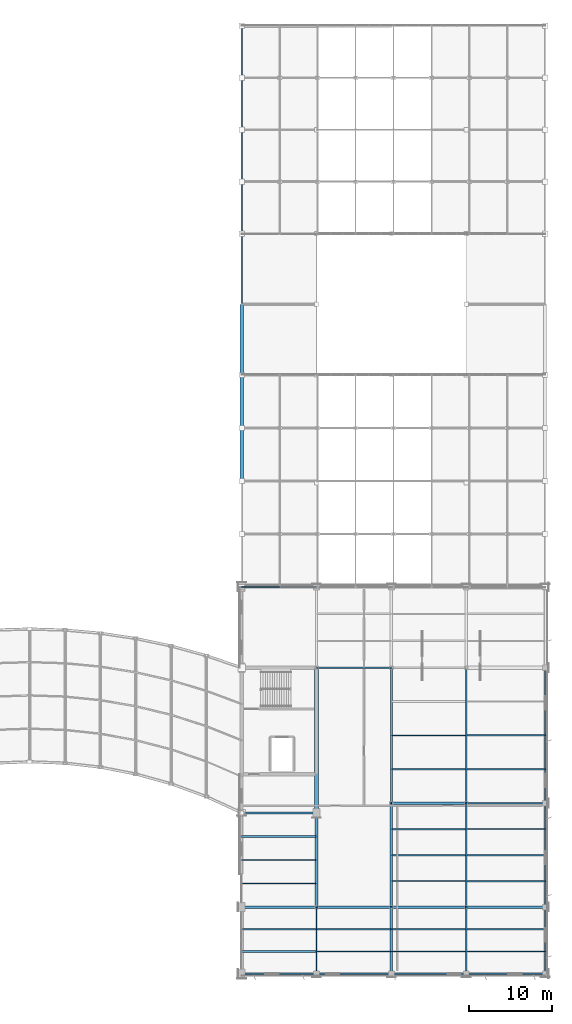
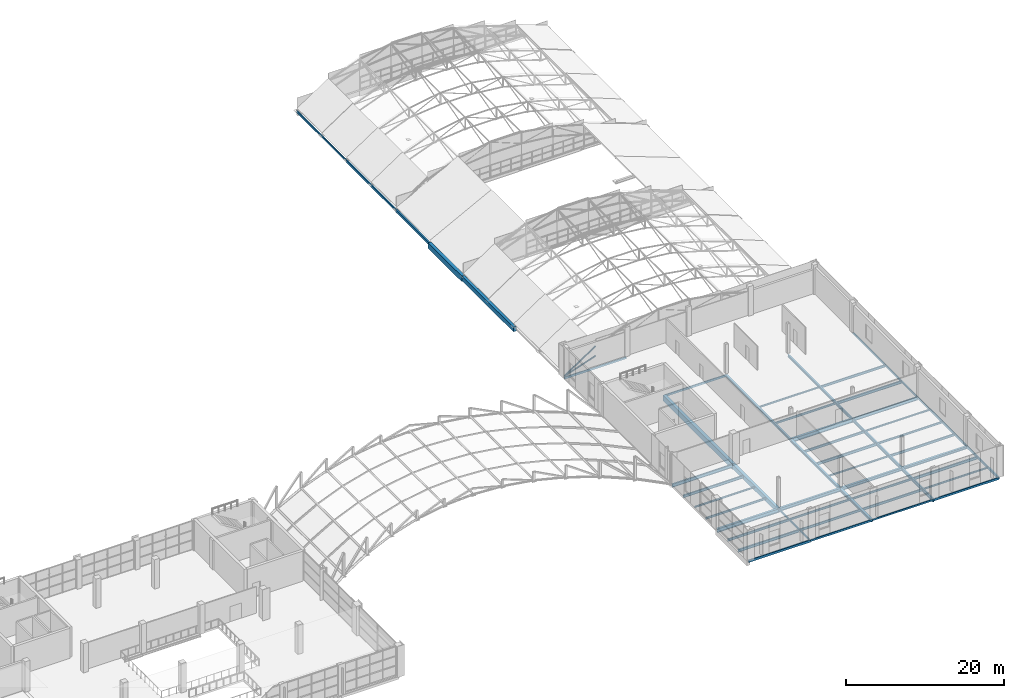
# One storey, part 48 of 101: 51 beams, 2 members.
"""IFC4 building model written with IfcOpenShell, lengths in metres."""

import ifcopenshell
import ifcopenshell.guid

model = None  # the IFC model being written
_history = None  # IfcOwnerHistory: only IFC2X3 demands one
_inside = {}  # id of a spatial element -> (the spatial element, [elements in it])
_under = {}  # id of a project, library or spatial element -> (it, [spatial elements below it])
_declared = {}  # id of a project -> (the project, [libraries it declares])
_typed = {}  # id of a type object -> (the type object, [elements of that type])
_made_of = {}  # id of a material, layer set ... -> (it, [elements and type objects made of it])


def new_model(schema):
    """Start an empty IFC model of exactly this schema.

    Asked for "IFC4X3", IfcOpenShell would pick the latest addendum, in which some entities
    have other attributes; the version numbers below select the first issue.
    IFC2X3 requires an IfcOwnerHistory on every rooted entity: one is made here for all.
    """
    global model, _history
    if schema == "IFC4X3":
        model = ifcopenshell.file(schema_version=(4, 3, 0, 0))
    else:
        model = ifcopenshell.file(schema=schema)
    _inside.clear()
    _under.clear()
    _declared.clear()
    _typed.clear()
    _made_of.clear()
    _history = None
    if model.schema == "IFC2X3":
        org = make("IfcOrganization", Name="unknown")
        user = make(
            "IfcPersonAndOrganization",
            ThePerson=make("IfcPerson", FamilyName="unknown"),
            TheOrganization=org,
        )
        app = make(
            "IfcApplication",
            ApplicationDeveloper=org,
            Version="unknown",
            ApplicationFullName="unknown",
            ApplicationIdentifier="unknown",
        )
        _history = make(
            "IfcOwnerHistory",
            OwningUser=user,
            OwningApplication=app,
            ChangeAction="ADDED",
            CreationDate=0,
        )
    return model


def make(cls, **values):
    """One entity of the class cls with the attributes given. An attribute that is None is left unset."""
    return model.create_entity(
        cls, **{name: value for name, value in values.items() if value is not None}
    )


def rooted(cls, **values):
    """An entity with a GlobalId (a new one), such as an element, a storey or a relation."""
    return make(cls, GlobalId=ifcopenshell.guid.new(), OwnerHistory=_history, **values)


def si_unit(unit_type, name, prefix=None):
    """IfcSIUnit, for example si_unit("LENGTHUNIT", "METRE", prefix="MILLI")."""
    return make("IfcSIUnit", UnitType=unit_type, Prefix=prefix, Name=name)


def assignment(units):
    """IfcUnitAssignment: the units of a project."""
    return None if units is None else make("IfcUnitAssignment", Units=units)


def point(xyz):
    """IfcCartesianPoint."""
    return None if xyz is None else make("IfcCartesianPoint", Coordinates=xyz)


def direction(xyz):
    """IfcDirection."""
    return None if xyz is None else make("IfcDirection", DirectionRatios=xyz)


def frame(location, z_axis=None, x_axis=None):
    """IfcAxis2Placement3D, a coordinate frame: its origin and axes. An axis left out is left unset."""
    return make(
        "IfcAxis2Placement3D",
        Location=point(location),
        Axis=direction(z_axis),
        RefDirection=direction(x_axis),
    )


def frame_2d(location, x_axis=None):
    """IfcAxis2Placement2D, a coordinate frame in the plane: its origin and x axis."""
    return make(
        "IfcAxis2Placement2D", Location=point(location), RefDirection=direction(x_axis)
    )


def origin():
    """The frame at (0, 0, 0) with its axes left unset."""
    return frame((0.0, 0.0, 0.0))


def origin_2d():
    """The frame at (0, 0) in the plane with its x axis left unset."""
    return frame_2d((0.0, 0.0))


def place(relative_to, where):
    """IfcLocalPlacement: puts the frame where relative to a parent placement (None: the world)."""
    return make(
        "IfcLocalPlacement", PlacementRelTo=relative_to, RelativePlacement=where
    )


def context(
    kind, dimensions, precision=None, world=None, true_north=None, identifier=None
):
    """IfcGeometricRepresentationContext, for example the 3D "Model" context."""
    return make(
        "IfcGeometricRepresentationContext",
        ContextIdentifier=identifier,
        ContextType=kind,
        CoordinateSpaceDimension=dimensions,
        Precision=precision,
        WorldCoordinateSystem=world,
        TrueNorth=true_north,
    )


def subcontext(parent, identifier, kind, view, scale=None):
    """IfcGeometricRepresentationSubContext, for example "Body" below "Model"."""
    return make(
        "IfcGeometricRepresentationSubContext",
        ContextIdentifier=identifier,
        ContextType=kind,
        ParentContext=parent,
        TargetScale=scale,
        TargetView=view,
    )


def project(units=None, contexts=None):
    """IfcProject with its units and contexts."""
    return rooted(
        "IfcProject",
        Name="project",
        RepresentationContexts=contexts,
        UnitsInContext=assignment(units),
    )


def spatial(cls, under=None, at=None, **own):
    """A site, building, storey or space (cls), placed at a placement, below another one or the project."""
    s = rooted(cls, ObjectPlacement=at, **own)
    if under is not None:
        _under.setdefault(under.id(), (under, []))[1].append(s)
    return s


def profile(cls, at=None, kind="AREA", **sizes):
    """A parametric profile (cls). Its sizes go by their IFC names, for example OverallWidth=200.0."""
    return make(cls, ProfileType=kind, Position=at, **sizes)


def rectangle(**sizes):
    """IfcRectangleProfileDef."""
    return profile("IfcRectangleProfileDef", **sizes)


def hollow_rectangle(**sizes):
    """IfcRectangleHollowProfileDef."""
    return profile("IfcRectangleHollowProfileDef", **sizes)


def hollow_circle(**sizes):
    """IfcCircleHollowProfileDef."""
    return profile("IfcCircleHollowProfileDef", **sizes)


def i_section(**sizes):
    """IfcIShapeProfileDef."""
    return profile("IfcIShapeProfileDef", **sizes)


def extrude(swept, where, along, depth):
    """IfcExtrudedAreaSolid: the profile swept, set in the frame where, extruded along a direction by depth."""
    return make(
        "IfcExtrudedAreaSolid",
        SweptArea=swept,
        Position=where,
        ExtrudedDirection=direction(along),
        Depth=depth,
    )


def shape(context_of_items, identifier, shape_type, items):
    """IfcShapeRepresentation: the items that make up one representation, for example the "Body"."""
    return make(
        "IfcShapeRepresentation",
        ContextOfItems=context_of_items,
        RepresentationIdentifier=identifier,
        RepresentationType=shape_type,
        Items=items,
    )


def material(Name=None, Category=None):
    """IfcMaterial."""
    return make("IfcMaterial", Name=Name, Category=Category)


def material_profile(
    of_material, cross_section, Name=None, Category=None, Priority=None
):
    """IfcMaterialProfile: a cross section and its material."""
    return make(
        "IfcMaterialProfile",
        Name=Name,
        Material=of_material,
        Profile=cross_section,
        Priority=Priority,
        Category=Category,
    )


def profile_set(profiles, Name=None, composite=None):
    """IfcMaterialProfileSet."""
    return make(
        "IfcMaterialProfileSet",
        Name=Name,
        MaterialProfiles=profiles,
        CompositeProfile=composite,
    )


def made_of(thing, what):
    """Note that an element or type object is made of a material, layer set ...; save() writes the relation."""
    if what is not None:
        _made_of.setdefault(what.id(), (what, []))[1].append(thing)
    return thing


def type_object(cls, material=None, **own):
    """A type object (cls), such as IfcWallType, which elements share."""
    return made_of(rooted(cls, **own), material)


def element(
    cls,
    number,
    at=None,
    inside=None,
    cuts=None,
    type_object=None,
    material=None,
    context=None,
    identifier="Body",
    shape_type=None,
    held_by="IfcProductDefinitionShape",
    body=None,
    shapes=None,
    **own,
):
    """One element of the class cls, such as IfcWall. Its Tag is "e" and its number.

    at: its placement. inside: the storey or other place that contains it. cuts: it is an
    opening in that element (IfcRelVoidsElement). A single representation is given by context,
    identifier, shape_type and body (its items); several are given by shapes. held_by: the class
    of the entity that holds the representations. save() writes the other relations.
    """
    e = rooted(cls, Tag="e%d" % number, ObjectPlacement=at, **own)
    if body is not None:
        shapes = [shape(context, identifier, shape_type, body)]
    if shapes is not None:
        e.Representation = make(held_by, Representations=shapes)
    if inside is not None:
        _inside.setdefault(inside.id(), (inside, []))[1].append(e)
    if cuts is not None:
        rooted(
            "IfcRelVoidsElement", RelatingBuildingElement=cuts, RelatedOpeningElement=e
        )
    if type_object is not None:
        _typed.setdefault(type_object.id(), (type_object, []))[1].append(e)
    return made_of(e, material)


def aggregate(whole, parts):
    """IfcRelAggregates: a whole, such as a stair, and the parts it consists of."""
    return rooted("IfcRelAggregates", RelatingObject=whole, RelatedObjects=parts)


def save(model, path):
    """Write the relations noted so far, then the file.

    IfcRelAggregates (storeys below a building ...), IfcRelContainedInSpatialStructure (elements
    in a storey), IfcRelDefinesByType, IfcRelAssociatesMaterial and IfcRelDeclares: one each for
    every whole, place, type object, material and project.
    """
    for whole, parts in _under.values():
        aggregate(whole, parts)
    for where, things in _inside.values():
        rooted(
            "IfcRelContainedInSpatialStructure",
            RelatedElements=things,
            RelatingStructure=where,
        )
    for kind, things in _typed.values():
        rooted("IfcRelDefinesByType", RelatedObjects=things, RelatingType=kind)
    for what, things in _made_of.values():
        rooted("IfcRelAssociatesMaterial", RelatedObjects=things, RelatingMaterial=what)
    for by, libraries in _declared.values():
        rooted("IfcRelDeclares", RelatingContext=by, RelatedDefinitions=libraries)
    model.write(path)


model = new_model("IFC4")

# Units and contexts
model_context = context("Model", 3, precision=1e-05, world=origin(), true_north=direction((0.0, 1.0)))
body_context = subcontext(model_context, "Body", "Model", "MODEL_VIEW")
ifc_project = project(units=[si_unit("LENGTHUNIT", "METRE"), si_unit("AREAUNIT", "SQUARE_METRE"), si_unit("VOLUMEUNIT", "CUBIC_METRE"), si_unit("PLANEANGLEUNIT", "RADIAN"), si_unit("MASSUNIT", "GRAM", prefix="KILO")], contexts=[model_context])

# Site, building, storey
site_placement = place(None, origin())
site = spatial("IfcSite", under=ifc_project, at=site_placement, CompositionType="ELEMENT")
building_placement = place(site_placement, origin())
building = spatial("IfcBuilding", under=site, at=building_placement, Name="Solvikara Media Centre", CompositionType="ELEMENT")
storey_placement = place(building_placement, frame((0.0, 0.0, 10.199951171875)))
storey = spatial("IfcBuildingStorey", under=building, at=storey_placement, Name="L02", CompositionType="ELEMENT", Elevation=10.199951171875)

# Beams
ifc_material_1 = material(Name="Concrete fc' 35 MPa (C35/45)", Category="concrete")
ifc_material_profile_1 = material_profile(ifc_material_1, rectangle(XDim=0.39990234375, YDim=0.699951171875, at=origin_2d()), Name="RC 400x700")
ifc_profile_set_1 = profile_set([ifc_material_profile_1], Name="Concrete fc' 35 MPa (C35/45)")
beam_type_1 = type_object("IfcBeamType", Name="BM-13", PredefinedType="SPANDREL", material=ifc_profile_set_1)
beam_1_placement = place(storey_placement, frame((127.5, 59.0, -0.449951171875), z_axis=(0.0, 1.0, 0.0), x_axis=(-1.0, 0.0, 0.0)))
element("IfcBeam", 1, at=beam_1_placement, inside=storey, type_object=beam_type_1, Name="B-L02-Y0979", PredefinedType="SPANDREL", context=body_context, shape_type="SweptSolid", body=[
    extrude(rectangle(XDim=0.39990234375, YDim=0.699951171875, at=origin_2d()), origin(), (0.0, 0.0, 1.0), 13.0),
])
beam_2_placement = place(storey_placement, frame((136.5, 8.0, -0.58984375), z_axis=(0.0, 1.0, 0.0), x_axis=(-1.0, 0.0, 0.0)))
element("IfcBeam", 2, at=beam_2_placement, inside=storey, type_object=beam_type_1, Name="B-L02-Y0985", PredefinedType="SPANDREL", context=body_context, shape_type="SweptSolid", body=[
    extrude(rectangle(XDim=0.39990234375, YDim=0.699951171875, at=origin_2d()), origin(), (0.0, 0.0, 1.0), 11.323974609375),
])
ifc_material_profile_2 = material_profile(ifc_material_1, rectangle(XDim=0.449951171875, YDim=0.85009765625, at=origin_2d()), Name="RC 450x850")
ifc_profile_set_2 = profile_set([ifc_material_profile_2], Name="Concrete fc' 35 MPa (C35/45)")
beam_type_2 = type_object("IfcBeamType", Name="BM-14", PredefinedType="SPANDREL", material=ifc_profile_set_2)
beam_3_placement = place(storey_placement, frame((127.5, 72.0, -0.52490234375), z_axis=(0.0, 1.0, 0.0), x_axis=(-1.0, 0.0, 0.0)))
element("IfcBeam", 3, at=beam_3_placement, inside=storey, type_object=beam_type_2, Name="B-L02-Y0980", PredefinedType="SPANDREL", context=body_context, shape_type="SweptSolid", body=[
    extrude(rectangle(XDim=0.449951171875, YDim=0.85009765625, at=origin_2d()), origin(), (0.0, 0.0, 1.0), 8.5),
])
beam_4_placement = place(storey_placement, frame((136.5, 19.323974609375, -0.6650390625), z_axis=(0.0, 1.0, 0.0), x_axis=(-1.0, 0.0, 0.0)))
element("IfcBeam", 4, at=beam_4_placement, inside=storey, type_object=beam_type_2, Name="B-L02-Y0986", PredefinedType="SPANDREL", context=body_context, shape_type="SweptSolid", body=[
    extrude(rectangle(XDim=0.449951171875, YDim=0.85009765625, at=origin_2d()), origin(), (0.0, 0.0, 1.0), 17.47607421875),
])
ifc_material_2 = material(Name="Steel S355JR", Category="steel")
ifc_material_profile_3 = material_profile(ifc_material_2, i_section(OverallWidth=0.199951171875, OverallDepth=0.5, WebThickness=0.010009765625, FlangeThickness=0.01611328125, at=origin_2d()), Name="WF 500x200x10x16")
ifc_profile_set_3 = profile_set([ifc_material_profile_3], Name="Steel S355JR")
beam_type_3 = type_object("IfcBeamType", Name="BM-19", PredefinedType="BEAM", material=ifc_profile_set_3)
beam_5_placement = place(storey_placement, frame((127.5, 19.320068359375, -0.491943359375), z_axis=(1.0, 0.0, 0.0), x_axis=(0.0, 1.0, 0.0)))
element("IfcBeam", 5, at=beam_5_placement, inside=storey, type_object=beam_type_3, Name="B-L02-X0843", PredefinedType="BEAM", context=body_context, shape_type="SweptSolid", body=[
    extrude(i_section(OverallWidth=0.199951171875, OverallDepth=0.5, WebThickness=0.010009765625, FlangeThickness=0.01611328125, at=origin_2d()), origin(), (0.0, 0.0, 1.0), 9.0),
])
ifc_material_profile_4 = material_profile(ifc_material_2, i_section(OverallWidth=0.199951171875, OverallDepth=0.39990234375, WebThickness=0.008056640625, FlangeThickness=0.012939453125, at=origin_2d()), Name="WF 400x200x8x13")
ifc_profile_set_4 = profile_set([ifc_material_profile_4], Name="Steel S355JR")
beam_type_4 = type_object("IfcBeamType", Name="BM-21", PredefinedType="JOIST", material=ifc_profile_set_4)
beam_6_placement = place(storey_placement, frame((127.5, 2.6669921875, -0.44189453125), z_axis=(1.0, 0.0, 0.0), x_axis=(0.0, 1.0, 0.0)))
element("IfcBeam", 6, at=beam_6_placement, inside=storey, type_object=beam_type_4, Name="J-L02-1121", PredefinedType="JOIST", context=body_context, shape_type="SweptSolid", body=[
    extrude(i_section(OverallWidth=0.199951171875, OverallDepth=0.39990234375, WebThickness=0.008056640625, FlangeThickness=0.012939453125, at=origin_2d()), origin(), (0.0, 0.0, 1.0), 8.922119140625),
])
beam_7_placement = place(storey_placement, frame((154.577880859375, 24.574951171875, -0.44189453125), z_axis=(1.0, 0.0, 0.0), x_axis=(0.0, 1.0, 0.0)))
element("IfcBeam", 7, at=beam_7_placement, inside=storey, type_object=beam_type_4, Name="J-L02-1145", PredefinedType="JOIST", context=body_context, shape_type="SweptSolid", body=[
    extrude(i_section(OverallWidth=0.199951171875, OverallDepth=0.39990234375, WebThickness=0.008056640625, FlangeThickness=0.012939453125, at=origin_2d()), origin(), (0.0, 0.0, 1.0), 9.422119140625),
])
ifc_material_profile_5 = material_profile(ifc_material_2, i_section(OverallWidth=0.175048828125, OverallDepth=0.35009765625, WebThickness=0.007080078125, FlangeThickness=0.010986328125, at=origin_2d()), Name="WF 350x175x7x11")
ifc_profile_set_5 = profile_set([ifc_material_profile_5], Name="Steel S355JR")
beam_type_5 = type_object("IfcBeamType", Name="BM-22", PredefinedType="JOIST", material=ifc_profile_set_5)
beam_8_placement = place(storey_placement, frame((127.5, 5.3330078125, -0.4169921875), z_axis=(1.0, 0.0, 0.0), x_axis=(0.0, 1.0, 0.0)))
element("IfcBeam", 8, at=beam_8_placement, inside=storey, type_object=beam_type_5, Name="J-L02-1122", PredefinedType="JOIST", context=body_context, shape_type="SweptSolid", body=[
    extrude(i_section(OverallWidth=0.175048828125, OverallDepth=0.35009765625, WebThickness=0.007080078125, FlangeThickness=0.010986328125, at=origin_2d()), origin(), (0.0, 0.0, 1.0), 8.922119140625),
])
beam_9_placement = place(storey_placement, frame((145.577880859375, 2.6669921875, -0.4169921875), z_axis=(1.0, 0.0, 0.0), x_axis=(0.0, 1.0, 0.0)))
element("IfcBeam", 9, at=beam_9_placement, inside=storey, type_object=beam_type_5, Name="J-L02-1130", PredefinedType="JOIST", context=body_context, shape_type="SweptSolid", body=[
    extrude(i_section(OverallWidth=0.175048828125, OverallDepth=0.35009765625, WebThickness=0.007080078125, FlangeThickness=0.010986328125, at=origin_2d()), origin(), (0.0, 0.0, 1.0), 8.84423828125),
])
beam_10_placement = place(storey_placement, frame((154.577880859375, 28.64990234375, -0.4169921875), z_axis=(1.0, 0.0, 0.0), x_axis=(0.0, 1.0, 0.0)))
element("IfcBeam", 10, at=beam_10_placement, inside=storey, type_object=beam_type_5, Name="J-L02-1146", PredefinedType="JOIST", context=body_context, shape_type="SweptSolid", body=[
    extrude(i_section(OverallWidth=0.175048828125, OverallDepth=0.35009765625, WebThickness=0.007080078125, FlangeThickness=0.010986328125, at=origin_2d()), origin(), (0.0, 0.0, 1.0), 9.422119140625),
])
ifc_material_profile_6 = material_profile(ifc_material_2, i_section(OverallWidth=0.14990234375, OverallDepth=0.300048828125, WebThickness=0.006591796875, FlangeThickness=0.009033203125, at=origin_2d()), Name="WF 300x150x6.5x9")
ifc_profile_set_6 = profile_set([ifc_material_profile_6], Name="Steel S355JR")
beam_type_6 = type_object("IfcBeamType", Name="BM-23", PredefinedType="JOIST", material=ifc_profile_set_6)
beam_11_placement = place(storey_placement, frame((127.5, 10.8310546875, -0.391845703125), z_axis=(1.0, 0.0, 0.0), x_axis=(0.0, 1.0, 0.0)))
element("IfcBeam", 11, at=beam_11_placement, inside=storey, type_object=beam_type_6, Name="J-L02-1123", PredefinedType="JOIST", context=body_context, shape_type="SweptSolid", body=[
    extrude(i_section(OverallWidth=0.14990234375, OverallDepth=0.300048828125, WebThickness=0.006591796875, FlangeThickness=0.009033203125, at=origin_2d()), origin(), (0.0, 0.0, 1.0), 8.922119140625),
])
beam_12_placement = place(storey_placement, frame((145.577880859375, 5.3330078125, -0.391845703125), z_axis=(1.0, 0.0, 0.0), x_axis=(0.0, 1.0, 0.0)))
element("IfcBeam", 12, at=beam_12_placement, inside=storey, type_object=beam_type_6, Name="J-L02-1131", PredefinedType="JOIST", context=body_context, shape_type="SweptSolid", body=[
    extrude(i_section(OverallWidth=0.14990234375, OverallDepth=0.300048828125, WebThickness=0.006591796875, FlangeThickness=0.009033203125, at=origin_2d()), origin(), (0.0, 0.0, 1.0), 8.84423828125),
])
ifc_material_profile_7 = material_profile(ifc_material_2, i_section(OverallWidth=0.125, OverallDepth=0.25, WebThickness=0.006103515625, FlangeThickness=0.009033203125, at=origin_2d()), Name="WF 250x125x6x9")
ifc_profile_set_7 = profile_set([ifc_material_profile_7], Name="Steel S355JR")
beam_type_7 = type_object("IfcBeamType", Name="BM-24", PredefinedType="JOIST", material=ifc_profile_set_7)
beam_13_placement = place(storey_placement, frame((127.5, 13.662109375, -0.366943359375), z_axis=(1.0, 0.0, 0.0), x_axis=(0.0, 1.0, 0.0)))
element("IfcBeam", 13, at=beam_13_placement, inside=storey, type_object=beam_type_7, Name="J-L02-1124", PredefinedType="JOIST", context=body_context, shape_type="SweptSolid", body=[
    extrude(i_section(OverallWidth=0.125, OverallDepth=0.25, WebThickness=0.006103515625, FlangeThickness=0.009033203125, at=origin_2d()), origin(), (0.0, 0.0, 1.0), 8.922119140625),
])
beam_14_placement = place(storey_placement, frame((145.577880859375, 11.125, -0.366943359375), z_axis=(1.0, 0.0, 0.0), x_axis=(0.0, 1.0, 0.0)))
element("IfcBeam", 14, at=beam_14_placement, inside=storey, type_object=beam_type_7, Name="J-L02-1132", PredefinedType="JOIST", context=body_context, shape_type="SweptSolid", body=[
    extrude(i_section(OverallWidth=0.125, OverallDepth=0.25, WebThickness=0.006103515625, FlangeThickness=0.009033203125, at=origin_2d()), origin(), (0.0, 0.0, 1.0), 8.84423828125),
])
beam_15_placement = place(storey_placement, frame((154.577880859375, 2.6669921875, -0.366943359375), z_axis=(1.0, 0.0, 0.0), x_axis=(0.0, 1.0, 0.0)))
element("IfcBeam", 15, at=beam_15_placement, inside=storey, type_object=beam_type_7, Name="J-L02-1140", PredefinedType="JOIST", context=body_context, shape_type="SweptSolid", body=[
    extrude(i_section(OverallWidth=0.125, OverallDepth=0.25, WebThickness=0.006103515625, FlangeThickness=0.009033203125, at=origin_2d()), origin(), (0.0, 0.0, 1.0), 9.422119140625),
])
ifc_material_profile_8 = material_profile(ifc_material_2, i_section(OverallWidth=0.300048828125, OverallDepth=0.587890625, WebThickness=0.011962890625, FlangeThickness=0.02001953125, at=origin_2d()), Name="H 588x300x12x20")
ifc_profile_set_8 = profile_set([ifc_material_profile_8], Name="Steel S355JR")
beam_type_8 = type_object("IfcBeamType", Name="BM-26", PredefinedType="BEAM", material=ifc_profile_set_8)
beam_16_placement = place(storey_placement, frame((127.5, 8.0, -0.535888671875), z_axis=(1.0, 0.0, 0.0), x_axis=(0.0, 1.0, 0.0)))
element("IfcBeam", 16, at=beam_16_placement, inside=storey, type_object=beam_type_8, Name="B-L02-X0832", PredefinedType="BEAM", context=body_context, shape_type="SweptSolid", body=[
    extrude(i_section(OverallWidth=0.300048828125, OverallDepth=0.587890625, WebThickness=0.011962890625, FlangeThickness=0.02001953125, at=origin_2d()), origin(), (0.0, 0.0, 1.0), 9.0),
])
ifc_material_profile_9 = material_profile(ifc_material_2, i_section(OverallWidth=0.300048828125, OverallDepth=0.488037109375, WebThickness=0.010986328125, FlangeThickness=0.01806640625, at=origin_2d()), Name="H 488x300x11x18")
ifc_profile_set_9 = profile_set([ifc_material_profile_9], Name="Steel S355JR")
beam_type_9 = type_object("IfcBeamType", Name="BM-27", PredefinedType="BEAM", material=ifc_profile_set_9)
beam_17_placement = place(storey_placement, frame((136.5, 8.0, -0.48583984375), z_axis=(1.0, 0.0, 0.0), x_axis=(0.0, 1.0, 0.0)))
element("IfcBeam", 17, at=beam_17_placement, inside=storey, type_object=beam_type_9, Name="B-L02-X0833", PredefinedType="BEAM", context=body_context, shape_type="SweptSolid", body=[
    extrude(i_section(OverallWidth=0.300048828125, OverallDepth=0.488037109375, WebThickness=0.010986328125, FlangeThickness=0.01806640625, at=origin_2d()), origin(), (0.0, 0.0, 1.0), 9.0),
])
ifc_material_profile_10 = material_profile(ifc_material_2, i_section(OverallWidth=0.300048828125, OverallDepth=0.43994140625, WebThickness=0.010986328125, FlangeThickness=0.01806640625, at=origin_2d()), Name="H 440x300x11x18")
ifc_profile_set_10 = profile_set([ifc_material_profile_10], Name="Steel S355JR")
beam_type_10 = type_object("IfcBeamType", Name="BM-28", PredefinedType="BEAM", material=ifc_profile_set_10)
beam_18_placement = place(storey_placement, frame((145.5, 8.0, -0.4619140625), z_axis=(1.0, 0.0, 0.0), x_axis=(0.0, 1.0, 0.0)))
element("IfcBeam", 18, at=beam_18_placement, inside=storey, type_object=beam_type_10, Name="B-L02-X0834", PredefinedType="BEAM", context=body_context, shape_type="SweptSolid", body=[
    extrude(i_section(OverallWidth=0.300048828125, OverallDepth=0.43994140625, WebThickness=0.010986328125, FlangeThickness=0.01806640625, at=origin_2d()), origin(), (0.0, 0.0, 1.0), 9.0),
])
beam_19_placement = place(storey_placement, frame((145.5, 0.0, -0.4619140625), z_axis=(0.0, 1.0, 0.0), x_axis=(-1.0, 0.0, 0.0)))
element("IfcBeam", 19, at=beam_19_placement, inside=storey, type_object=beam_type_10, Name="B-L02-Y0988", PredefinedType="BEAM", context=body_context, shape_type="SweptSolid", body=[
    extrude(i_section(OverallWidth=0.300048828125, OverallDepth=0.43994140625, WebThickness=0.010986328125, FlangeThickness=0.01806640625, at=origin_2d()), origin(), (0.0, 0.0, 1.0), 8.0),
])
ifc_material_profile_11 = material_profile(ifc_material_2, i_section(OverallWidth=0.300048828125, OverallDepth=0.389892578125, WebThickness=0.010009765625, FlangeThickness=0.01611328125, at=origin_2d()), Name="H 390x300x10x16")
ifc_profile_set_11 = profile_set([ifc_material_profile_11], Name="Steel S355JR")
beam_type_11 = type_object("IfcBeamType", Name="BM-29", PredefinedType="BEAM", material=ifc_profile_set_11)
beam_20_placement = place(storey_placement, frame((154.5, 8.0, -0.43701171875), z_axis=(1.0, 0.0, 0.0), x_axis=(0.0, 1.0, 0.0)))
element("IfcBeam", 20, at=beam_20_placement, inside=storey, type_object=beam_type_11, Name="B-L02-X0835", PredefinedType="BEAM", context=body_context, shape_type="SweptSolid", body=[
    extrude(i_section(OverallWidth=0.300048828125, OverallDepth=0.389892578125, WebThickness=0.010009765625, FlangeThickness=0.01611328125, at=origin_2d()), origin(), (0.0, 0.0, 1.0), 9.5),
])
beam_21_placement = place(storey_placement, frame((145.5, 8.0, -0.43701171875), z_axis=(0.0, 1.0, 0.0), x_axis=(-1.0, 0.0, 0.0)))
element("IfcBeam", 21, at=beam_21_placement, inside=storey, type_object=beam_type_11, Name="B-L02-Y0989", PredefinedType="BEAM", context=body_context, shape_type="SweptSolid", body=[
    extrude(i_section(OverallWidth=0.300048828125, OverallDepth=0.389892578125, WebThickness=0.010009765625, FlangeThickness=0.01611328125, at=origin_2d()), origin(), (0.0, 0.0, 1.0), 12.5),
])
ifc_material_profile_12 = material_profile(ifc_material_2, i_section(OverallWidth=0.25, OverallDepth=0.340087890625, WebThickness=0.009033203125, FlangeThickness=0.013916015625, at=origin_2d()), Name="H 340x250x9x14")
ifc_profile_set_12 = profile_set([ifc_material_profile_12], Name="Steel S355JR")
beam_type_12 = type_object("IfcBeamType", Name="BM-30", PredefinedType="BEAM", material=ifc_profile_set_12)
beam_22_placement = place(storey_placement, frame((145.5, 20.5, -0.411865234375), z_axis=(0.0, 1.0, 0.0), x_axis=(-1.0, 0.0, 0.0)))
element("IfcBeam", 22, at=beam_22_placement, inside=storey, type_object=beam_type_12, Name="B-L02-Y0990", PredefinedType="BEAM", context=body_context, shape_type="SweptSolid", body=[
    extrude(i_section(OverallWidth=0.25, OverallDepth=0.340087890625, WebThickness=0.009033203125, FlangeThickness=0.013916015625, at=origin_2d()), origin(), (0.0, 0.0, 1.0), 16.300048828125),
])
ifc_material_profile_13 = material_profile(ifc_material_2, hollow_rectangle(XDim=0.199951171875, YDim=0.39990234375, WallThickness=0.011962890625, at=origin_2d()), Name="RHS 400x200x12")
ifc_profile_set_13 = profile_set([ifc_material_profile_13], Name="Steel S355JR")
beam_type_13 = type_object("IfcBeamType", Name="BM-33", PredefinedType="SPANDREL", material=ifc_profile_set_13)
beam_23_placement = place(storey_placement, frame((127.5, 80.5, -0.300048828125), z_axis=(0.0, 1.0, 0.0), x_axis=(-1.0, 0.0, 0.0)))
element("IfcBeam", 23, at=beam_23_placement, inside=storey, type_object=beam_type_13, Name="B-L02-Y0981", PredefinedType="SPANDREL", context=body_context, shape_type="SweptSolid", body=[
    extrude(hollow_rectangle(XDim=0.199951171875, YDim=0.39990234375, WallThickness=0.011962890625, at=origin_2d()), origin(), (0.0, 0.0, 1.0), 8.5),
])
ifc_material_profile_14 = material_profile(ifc_material_2, hollow_rectangle(XDim=0.175048828125, YDim=0.35009765625, WallThickness=0.010009765625, at=origin_2d()), Name="RHS 350x175x10")
ifc_profile_set_14 = profile_set([ifc_material_profile_14], Name="Steel S355JR")
beam_type_14 = type_object("IfcBeamType", Name="BM-34", PredefinedType="SPANDREL", material=ifc_profile_set_14)
beam_24_placement = place(storey_placement, frame((127.5, 0.0, -0.4169921875), z_axis=(1.0, 0.0, 0.0), x_axis=(0.0, 1.0, 0.0)))
element("IfcBeam", 24, at=beam_24_placement, inside=storey, type_object=beam_type_14, Name="B-L02-X0828", PredefinedType="SPANDREL", context=body_context, shape_type="SweptSolid", body=[
    extrude(hollow_rectangle(XDim=0.175048828125, YDim=0.35009765625, WallThickness=0.010009765625, at=origin_2d()), origin(), (0.0, 0.0, 1.0), 9.0),
])
beam_25_placement = place(storey_placement, frame((127.5, 89.0, -0.27490234375), z_axis=(0.0, 1.0, 0.0), x_axis=(-1.0, 0.0, 0.0)))
element("IfcBeam", 25, at=beam_25_placement, inside=storey, type_object=beam_type_14, Name="B-L02-Y0982", PredefinedType="SPANDREL", context=body_context, shape_type="SweptSolid", body=[
    extrude(hollow_rectangle(XDim=0.175048828125, YDim=0.35009765625, WallThickness=0.010009765625, at=origin_2d()), origin(), (0.0, 0.0, 1.0), 12.5),
])
beam_26_placement = place(storey_placement, frame((164.0, 0.0, -0.4169921875), z_axis=(0.0, 1.0, 0.0), x_axis=(-1.0, 0.0, 0.0)))
element("IfcBeam", 26, at=beam_26_placement, inside=storey, type_object=beam_type_14, Name="B-L02-Y0996", PredefinedType="SPANDREL", context=body_context, shape_type="SweptSolid", body=[
    extrude(hollow_rectangle(XDim=0.175048828125, YDim=0.35009765625, WallThickness=0.010009765625, at=origin_2d()), origin(), (0.0, 0.0, 1.0), 8.0),
])
ifc_material_profile_15 = material_profile(ifc_material_2, hollow_rectangle(XDim=0.14990234375, YDim=0.300048828125, WallThickness=0.010009765625, at=origin_2d()), Name="RHS 300x150x10")
ifc_profile_set_15 = profile_set([ifc_material_profile_15], Name="Steel S355JR")
beam_type_15 = type_object("IfcBeamType", Name="BM-35", PredefinedType="BEAM", material=ifc_profile_set_15)
for number, where, z_axis, x_axis, name in (
    (27, (136.5, 0.0, -0.391845703125), (1.0, 0.0, 0.0), (0.0, 1.0, 0.0), "B-L02-X0829"),
    (28, (136.5, 36.800048828125, -0.391845703125), (1.0, 0.0, 0.0), (0.0, 1.0, 0.0), "B-L02-X0863"),
    (29, (127.5, 46.5, -0.391845703125), (1.0, 0.0, 0.0), (0.0, 1.0, 0.0), "B-L02-X0869"),
):
    element("IfcBeam", number, at=place(storey_placement, frame(where, z_axis=z_axis, x_axis=x_axis)), inside=storey, type_object=beam_type_15, Name=name, PredefinedType="BEAM", context=body_context, shape_type="SweptSolid", body=[
        extrude(hollow_rectangle(XDim=0.14990234375, YDim=0.300048828125, WallThickness=0.010009765625, at=origin_2d()), origin(), (0.0, 0.0, 1.0), 9.0),
    ])
for number, where, z_axis, x_axis, name in (
    (30, (127.5, 101.5, -0.25), (0.0, 1.0, 0.0), (-1.0, 0.0, 0.0), "B-L02-Y0983"),
    (31, (164.0, 8.0, -0.391845703125), (0.0, 1.0, 0.0), (-1.0, 0.0, 0.0), "B-L02-Y0997"),
):
    element("IfcBeam", number, at=place(storey_placement, frame(where, z_axis=z_axis, x_axis=x_axis)), inside=storey, type_object=beam_type_15, Name=name, PredefinedType="BEAM", context=body_context, shape_type="SweptSolid", body=[
        extrude(hollow_rectangle(XDim=0.14990234375, YDim=0.300048828125, WallThickness=0.010009765625, at=origin_2d()), origin(), (0.0, 0.0, 1.0), 12.5),
    ])
ifc_material_profile_16 = material_profile(ifc_material_2, hollow_rectangle(XDim=0.14990234375, YDim=0.25, WallThickness=0.008056640625, at=origin_2d()), Name="RHS 250x150x8")
ifc_profile_set_16 = profile_set([ifc_material_profile_16], Name="Steel S355JR")
beam_type_16 = type_object("IfcBeamType", Name="BM-36", PredefinedType="JOIST", material=ifc_profile_set_16)
beam_27_placement = place(storey_placement, frame((145.5, 0.0, -0.366943359375), z_axis=(1.0, 0.0, 0.0), x_axis=(0.0, 1.0, 0.0)))
element("IfcBeam", 32, at=beam_27_placement, inside=storey, type_object=beam_type_16, Name="B-L02-X0830", PredefinedType="JOIST", context=body_context, shape_type="SweptSolid", body=[
    extrude(hollow_rectangle(XDim=0.14990234375, YDim=0.25, WallThickness=0.008056640625, at=origin_2d()), origin(), (0.0, 0.0, 1.0), 9.0),
])
beam_28_placement = place(storey_placement, frame((136.5, 0.0, -0.366943359375), z_axis=(0.0, 1.0, 0.0), x_axis=(-1.0, 0.0, 0.0)))
element("IfcBeam", 33, at=beam_28_placement, inside=storey, type_object=beam_type_16, Name="B-L02-Y0984", PredefinedType="JOIST", context=body_context, shape_type="SweptSolid", body=[
    extrude(hollow_rectangle(XDim=0.14990234375, YDim=0.25, WallThickness=0.008056640625, at=origin_2d()), origin(), (0.0, 0.0, 1.0), 8.0),
])
beam_29_placement = place(storey_placement, frame((164.0, 20.5, -0.366943359375), z_axis=(0.0, 1.0, 0.0), x_axis=(-1.0, 0.0, 0.0)))
element("IfcBeam", 34, at=beam_29_placement, inside=storey, type_object=beam_type_16, Name="B-L02-Y0998", PredefinedType="JOIST", context=body_context, shape_type="SweptSolid", body=[
    extrude(hollow_rectangle(XDim=0.14990234375, YDim=0.25, WallThickness=0.008056640625, at=origin_2d()), origin(), (0.0, 0.0, 1.0), 16.300048828125),
])
ifc_material_profile_17 = material_profile(ifc_material_2, i_section(OverallWidth=0.198974609375, OverallDepth=0.39599609375, WebThickness=0.007080078125, FlangeThickness=0.010986328125, at=origin_2d()), Name="WF 396x199x7x11")
ifc_profile_set_17 = profile_set([ifc_material_profile_17], Name="Steel S355JR")
beam_type_17 = type_object("IfcBeamType", Name="BM-37", PredefinedType="JOIST", material=ifc_profile_set_17)
beam_30_placement = place(storey_placement, frame((127.5, 16.492919921875, -0.43994140625), z_axis=(1.0, 0.0, 0.0), x_axis=(0.0, 1.0, 0.0)))
element("IfcBeam", 35, at=beam_30_placement, inside=storey, type_object=beam_type_17, Name="J-L02-1125", PredefinedType="JOIST", context=body_context, shape_type="SweptSolid", body=[
    extrude(i_section(OverallWidth=0.198974609375, OverallDepth=0.39599609375, WebThickness=0.007080078125, FlangeThickness=0.010986328125, at=origin_2d()), origin(), (0.0, 0.0, 1.0), 8.922119140625),
])
beam_31_placement = place(storey_placement, frame((145.577880859375, 14.25, -0.43994140625), z_axis=(1.0, 0.0, 0.0), x_axis=(0.0, 1.0, 0.0)))
element("IfcBeam", 36, at=beam_31_placement, inside=storey, type_object=beam_type_17, Name="J-L02-1133", PredefinedType="JOIST", context=body_context, shape_type="SweptSolid", body=[
    extrude(i_section(OverallWidth=0.198974609375, OverallDepth=0.39599609375, WebThickness=0.007080078125, FlangeThickness=0.010986328125, at=origin_2d()), origin(), (0.0, 0.0, 1.0), 8.84423828125),
])
beam_32_placement = place(storey_placement, frame((154.577880859375, 5.3330078125, -0.43994140625), z_axis=(1.0, 0.0, 0.0), x_axis=(0.0, 1.0, 0.0)))
element("IfcBeam", 37, at=beam_32_placement, inside=storey, type_object=beam_type_17, Name="J-L02-1141", PredefinedType="JOIST", context=body_context, shape_type="SweptSolid", body=[
    extrude(i_section(OverallWidth=0.198974609375, OverallDepth=0.39599609375, WebThickness=0.007080078125, FlangeThickness=0.010986328125, at=origin_2d()), origin(), (0.0, 0.0, 1.0), 9.422119140625),
])
ifc_material_profile_18 = material_profile(ifc_material_2, i_section(OverallWidth=0.174072265625, OverallDepth=0.345947265625, WebThickness=0.006103515625, FlangeThickness=0.009033203125, at=origin_2d()), Name="WF 346x174x6x9")
ifc_profile_set_18 = profile_set([ifc_material_profile_18], Name="Steel S355JR")
beam_type_18 = type_object("IfcBeamType", Name="BM-38", PredefinedType="JOIST", material=ifc_profile_set_18)
for number, where, z_axis, x_axis, name in (
    (38, (136.577880859375, 2.6669921875, -0.4150390625), (1.0, 0.0, 0.0), (0.0, 1.0, 0.0), "J-L02-1126"),
    (39, (145.577880859375, 17.375, -0.4150390625), (1.0, 0.0, 0.0), (0.0, 1.0, 0.0), "J-L02-1134"),
):
    element("IfcBeam", number, at=place(storey_placement, frame(where, z_axis=z_axis, x_axis=x_axis)), inside=storey, type_object=beam_type_18, Name=name, PredefinedType="JOIST", context=body_context, shape_type="SweptSolid", body=[
        extrude(i_section(OverallWidth=0.174072265625, OverallDepth=0.345947265625, WebThickness=0.006103515625, FlangeThickness=0.009033203125, at=origin_2d()), origin(), (0.0, 0.0, 1.0), 8.84423828125),
    ])
beam_33_placement = place(storey_placement, frame((154.577880859375, 11.125, -0.4150390625), z_axis=(1.0, 0.0, 0.0), x_axis=(0.0, 1.0, 0.0)))
element("IfcBeam", 40, at=beam_33_placement, inside=storey, type_object=beam_type_18, Name="J-L02-1142", PredefinedType="JOIST", context=body_context, shape_type="SweptSolid", body=[
    extrude(i_section(OverallWidth=0.174072265625, OverallDepth=0.345947265625, WebThickness=0.006103515625, FlangeThickness=0.009033203125, at=origin_2d()), origin(), (0.0, 0.0, 1.0), 9.422119140625),
])
ifc_material_profile_19 = material_profile(ifc_material_2, i_section(OverallWidth=0.14892578125, OverallDepth=0.298095703125, WebThickness=0.005615234375, FlangeThickness=0.008056640625, at=origin_2d()), Name="WF 298x149x5.5x8")
ifc_profile_set_19 = profile_set([ifc_material_profile_19], Name="Steel S355JR")
beam_type_19 = type_object("IfcBeamType", Name="BM-39", PredefinedType="JOIST", material=ifc_profile_set_19)
for number, where, z_axis, x_axis, name in (
    (41, (136.577880859375, 5.3330078125, -0.390869140625), (1.0, 0.0, 0.0), (0.0, 1.0, 0.0), "J-L02-1127"),
    (42, (145.577880859375, 24.574951171875, -0.390869140625), (1.0, 0.0, 0.0), (0.0, 1.0, 0.0), "J-L02-1135"),
):
    element("IfcBeam", number, at=place(storey_placement, frame(where, z_axis=z_axis, x_axis=x_axis)), inside=storey, type_object=beam_type_19, Name=name, PredefinedType="JOIST", context=body_context, shape_type="SweptSolid", body=[
        extrude(i_section(OverallWidth=0.14892578125, OverallDepth=0.298095703125, WebThickness=0.005615234375, FlangeThickness=0.008056640625, at=origin_2d()), origin(), (0.0, 0.0, 1.0), 8.84423828125),
    ])
beam_34_placement = place(storey_placement, frame((154.577880859375, 14.25, -0.390869140625), z_axis=(1.0, 0.0, 0.0), x_axis=(0.0, 1.0, 0.0)))
element("IfcBeam", 43, at=beam_34_placement, inside=storey, type_object=beam_type_19, Name="J-L02-1143", PredefinedType="JOIST", context=body_context, shape_type="SweptSolid", body=[
    extrude(i_section(OverallWidth=0.14892578125, OverallDepth=0.298095703125, WebThickness=0.005615234375, FlangeThickness=0.008056640625, at=origin_2d()), origin(), (0.0, 0.0, 1.0), 9.422119140625),
])
ifc_material_profile_20 = material_profile(ifc_material_2, i_section(OverallWidth=0.1240234375, OverallDepth=0.248046875, WebThickness=0.0048828125, FlangeThickness=0.008056640625, at=origin_2d()), Name="WF 248x124x5x8")
ifc_profile_set_20 = profile_set([ifc_material_profile_20], Name="Steel S355JR")
beam_type_20 = type_object("IfcBeamType", Name="BM-40", PredefinedType="JOIST", material=ifc_profile_set_20)
beam_35_placement = place(storey_placement, frame((145.577880859375, 28.64990234375, -0.365966796875), z_axis=(1.0, 0.0, 0.0), x_axis=(0.0, 1.0, 0.0)))
element("IfcBeam", 44, at=beam_35_placement, inside=storey, type_object=beam_type_20, Name="J-L02-1136", PredefinedType="JOIST", context=body_context, shape_type="SweptSolid", body=[
    extrude(i_section(OverallWidth=0.1240234375, OverallDepth=0.248046875, WebThickness=0.0048828125, FlangeThickness=0.008056640625, at=origin_2d()), origin(), (0.0, 0.0, 1.0), 8.84423828125),
])
beam_36_placement = place(storey_placement, frame((154.577880859375, 17.375, -0.365966796875), z_axis=(1.0, 0.0, 0.0), x_axis=(0.0, 1.0, 0.0)))
element("IfcBeam", 45, at=beam_36_placement, inside=storey, type_object=beam_type_20, Name="J-L02-1144", PredefinedType="JOIST", context=body_context, shape_type="SweptSolid", body=[
    extrude(i_section(OverallWidth=0.1240234375, OverallDepth=0.248046875, WebThickness=0.0048828125, FlangeThickness=0.008056640625, at=origin_2d()), origin(), (0.0, 0.0, 1.0), 9.422119140625),
])
ifc_material_profile_21 = material_profile(ifc_material_2, i_section(OverallWidth=0.302001953125, OverallDepth=0.593994140625, WebThickness=0.013916015625, FlangeThickness=0.02294921875, at=origin_2d()), Name="H 594x302x14x23")
ifc_profile_set_21 = profile_set([ifc_material_profile_21], Name="Steel S355JR")
beam_type_21 = type_object("IfcBeamType", Name="BM-41", PredefinedType="BEAM", material=ifc_profile_set_21)
beam_37_placement = place(storey_placement, frame((145.5, 20.5, -0.5390625), z_axis=(1.0, 0.0, 0.0), x_axis=(0.0, 1.0, 0.0)))
element("IfcBeam", 46, at=beam_37_placement, inside=storey, type_object=beam_type_21, Name="B-L02-X0851", PredefinedType="BEAM", context=body_context, shape_type="SweptSolid", body=[
    extrude(i_section(OverallWidth=0.302001953125, OverallDepth=0.593994140625, WebThickness=0.013916015625, FlangeThickness=0.02294921875, at=origin_2d()), origin(), (0.0, 0.0, 1.0), 9.0),
])
ifc_material_profile_22 = material_profile(ifc_material_2, i_section(OverallWidth=0.198974609375, OverallDepth=0.49609375, WebThickness=0.009033203125, FlangeThickness=0.013916015625, at=origin_2d()), Name="H 496x199x9x14")
ifc_profile_set_22 = profile_set([ifc_material_profile_22], Name="Steel S355JR")
beam_type_22 = type_object("IfcBeamType", Name="BM-42", PredefinedType="BEAM", material=ifc_profile_set_22)
beam_38_placement = place(storey_placement, frame((154.5, 20.5, -0.489990234375), z_axis=(1.0, 0.0, 0.0), x_axis=(0.0, 1.0, 0.0)))
element("IfcBeam", 47, at=beam_38_placement, inside=storey, type_object=beam_type_22, Name="B-L02-X0852", PredefinedType="BEAM", context=body_context, shape_type="SweptSolid", body=[
    extrude(i_section(OverallWidth=0.198974609375, OverallDepth=0.49609375, WebThickness=0.009033203125, FlangeThickness=0.013916015625, at=origin_2d()), origin(), (0.0, 0.0, 1.0), 9.5),
])
beam_39_placement = place(storey_placement, frame((154.5, 0.0, -0.489990234375), z_axis=(0.0, 1.0, 0.0), x_axis=(-1.0, 0.0, 0.0)))
element("IfcBeam", 48, at=beam_39_placement, inside=storey, type_object=beam_type_22, Name="B-L02-Y0992", PredefinedType="BEAM", context=body_context, shape_type="SweptSolid", body=[
    extrude(i_section(OverallWidth=0.198974609375, OverallDepth=0.49609375, WebThickness=0.009033203125, FlangeThickness=0.013916015625, at=origin_2d()), origin(), (0.0, 0.0, 1.0), 8.0),
])
ifc_material_profile_23 = material_profile(ifc_material_2, i_section(OverallWidth=0.198974609375, OverallDepth=0.446044921875, WebThickness=0.008056640625, FlangeThickness=0.011962890625, at=origin_2d()), Name="H 446x199x8x12")
ifc_profile_set_23 = profile_set([ifc_material_profile_23], Name="Steel S355JR")
beam_type_23 = type_object("IfcBeamType", Name="BM-43", PredefinedType="BEAM", material=ifc_profile_set_23)
beam_40_placement = place(storey_placement, frame((154.5, 8.0, -0.46484375), z_axis=(0.0, 1.0, 0.0), x_axis=(-1.0, 0.0, 0.0)))
element("IfcBeam", 49, at=beam_40_placement, inside=storey, type_object=beam_type_23, Name="B-L02-Y0993", PredefinedType="BEAM", context=body_context, shape_type="SweptSolid", body=[
    extrude(i_section(OverallWidth=0.198974609375, OverallDepth=0.446044921875, WebThickness=0.008056640625, FlangeThickness=0.011962890625, at=origin_2d()), origin(), (0.0, 0.0, 1.0), 12.5),
])
ifc_material_profile_24 = material_profile(ifc_material_2, i_section(OverallWidth=0.198974609375, OverallDepth=0.39599609375, WebThickness=0.007080078125, FlangeThickness=0.010986328125, at=origin_2d()), Name="H 396x199x7x11")
ifc_profile_set_24 = profile_set([ifc_material_profile_24], Name="Steel S355JR")
beam_type_24 = type_object("IfcBeamType", Name="BM-44", PredefinedType="BEAM", material=ifc_profile_set_24)
beam_41_placement = place(storey_placement, frame((154.5, 20.5, -0.43994140625), z_axis=(0.0, 1.0, 0.0), x_axis=(-1.0, 0.0, 0.0)))
element("IfcBeam", 50, at=beam_41_placement, inside=storey, type_object=beam_type_24, Name="B-L02-Y0994", PredefinedType="BEAM", context=body_context, shape_type="SweptSolid", body=[
    extrude(i_section(OverallWidth=0.198974609375, OverallDepth=0.39599609375, WebThickness=0.007080078125, FlangeThickness=0.010986328125, at=origin_2d()), origin(), (0.0, 0.0, 1.0), 16.300048828125),
])
ifc_material_profile_25 = material_profile(ifc_material_2, hollow_rectangle(XDim=0.159912109375, YDim=0.320068359375, WallThickness=0.010009765625, at=origin_2d()), Name="RHS 320x160x10")
ifc_profile_set_25 = profile_set([ifc_material_profile_25], Name="Steel S355JR")
beam_type_25 = type_object("IfcBeamType", Name="BM-45", PredefinedType="SPANDREL", material=ifc_profile_set_25)
beam_42_placement = place(storey_placement, frame((154.5, 0.0, -0.40185546875), z_axis=(1.0, 0.0, 0.0), x_axis=(0.0, 1.0, 0.0)))
element("IfcBeam", 51, at=beam_42_placement, inside=storey, type_object=beam_type_25, Name="B-L02-X0831", PredefinedType="SPANDREL", context=body_context, shape_type="SweptSolid", body=[
    extrude(hollow_rectangle(XDim=0.159912109375, YDim=0.320068359375, WallThickness=0.010009765625, at=origin_2d()), origin(), (0.0, 0.0, 1.0), 9.5),
])

# Members
ifc_material_profile_26 = material_profile(ifc_material_2, hollow_circle(Radius=0.109619140625, WallThickness=0.008056640625, at=origin_2d()), Name="CHS 219.1x8")
ifc_profile_set_26 = profile_set([ifc_material_profile_26], Name="Steel S355JR")
member_type = type_object("IfcMemberType", Name="MB-05", PredefinedType="CHORD", material=ifc_profile_set_26)
member_1_placement = place(storey_placement, frame((127.5, 46.5, -0.06787109375), z_axis=(0.83335162007, 0.0, 0.55274322911), x_axis=(0.0, 1.0, 0.0)))
element("IfcMember", 52, at=member_1_placement, inside=storey, type_object=member_type, Name="BSA-TC-00-00", PredefinedType="CHORD", context=body_context, shape_type="SweptSolid", body=[
    extrude(hollow_circle(Radius=0.109619140625, WallThickness=0.008056640625, at=origin_2d()), origin(), (0.0, 0.0, 1.0), 5.474365234375),
])
member_2_placement = place(storey_placement, frame((127.5, 46.5, -0.099853515625), z_axis=(0.946343434254, 0.0, 0.323162659423), x_axis=(0.0, 1.0, 0.0)))
element("IfcMember", 53, at=member_2_placement, inside=storey, type_object=member_type, Name="BSA-BC-00-00", PredefinedType="CHORD", context=body_context, shape_type="SweptSolid", body=[
    extrude(hollow_circle(Radius=0.109619140625, WallThickness=0.008056640625, at=origin_2d()), origin(), (0.0, 0.0, 1.0), 4.820556640625),
])

save(model, "model.ifc")
